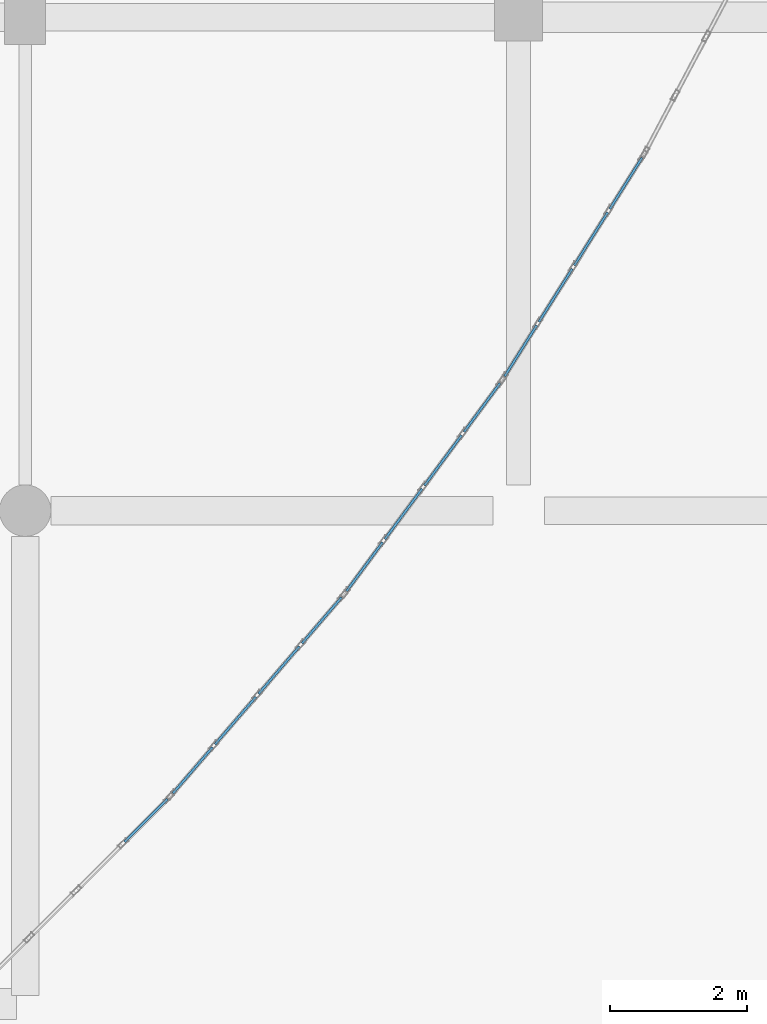
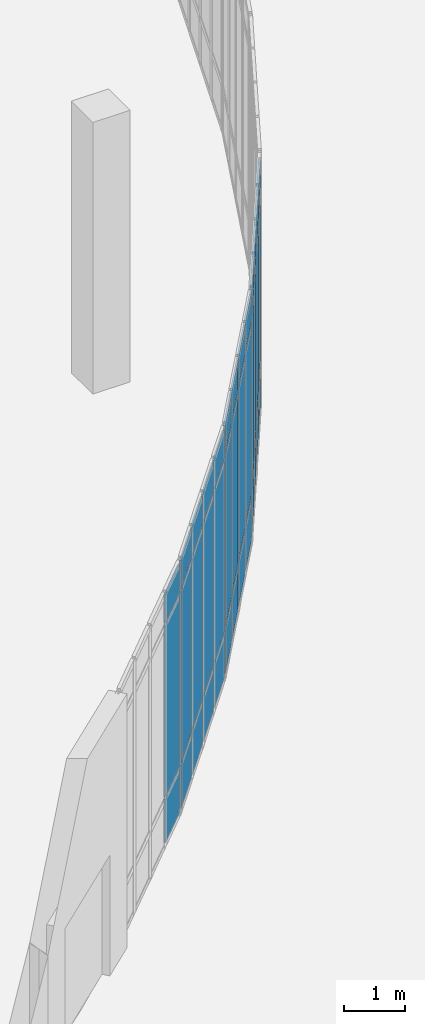
# One storey, part 81 of 110: 39 plates, 4 elements without a shape of their own.
"""IFC4 building model written with IfcOpenShell, lengths in metres."""

from ifc_helpers import new_model, si_unit, direction, frame, origin, origin_2d, place, context, subcontext, project, spatial, rectangle, extrude, material, layer, layer_set, type_object, element, aggregate, save


model = new_model("IFC4")

# Units and contexts
model_context = context("Model", 3, precision=1e-05, world=origin(), true_north=direction((0.0, 1.0)))
body_context = subcontext(model_context, "Body", "Model", "MODEL_VIEW")
ifc_project = project(units=[si_unit("LENGTHUNIT", "METRE"), si_unit("AREAUNIT", "SQUARE_METRE"), si_unit("VOLUMEUNIT", "CUBIC_METRE"), si_unit("PLANEANGLEUNIT", "RADIAN"), si_unit("MASSUNIT", "GRAM", prefix="KILO")], contexts=[model_context])

# Site, building, storey
site_placement = place(None, origin())
site = spatial("IfcSite", under=ifc_project, at=site_placement, CompositionType="ELEMENT")
building_placement = place(site_placement, origin())
building = spatial("IfcBuilding", under=site, at=building_placement, Name="Kalluvel Institute of Natural Sciences", CompositionType="ELEMENT")
storey_placement = place(building_placement, origin())
storey = spatial("IfcBuildingStorey", under=building, at=storey_placement, Name="L00", CompositionType="ELEMENT", Elevation=0.0)

# Curtain wall, plates
ifc_material_1 = material(Name="Aluminium AW-6063 T6", Category="aluminium")
curtain_wall_type = type_object("IfcCurtainWallType", Name="CW-ATR-L00", PredefinedType="USERDEFINED", material=ifc_material_1)
curtain_wall_1_placement = place(storey_placement, origin())
curtain_wall_1 = element("IfcCurtainWall", 1, at=curtain_wall_1_placement, inside=storey, type_object=curtain_wall_type, Name="L00 Gothic lancet curtain wall CWA-L00-X710-Y647", ObjectType="UNITISED LANCET FACADE", PredefinedType="USERDEFINED")
ifc_material_2 = material(Name="Solar-Control Low-E Laminated Glass", Category="glass")
ifc_layer = layer(ifc_material_2, 0.035888671875)
ifc_layer_set = layer_set([ifc_layer], Name="Solar-Control Low-E Laminated Glass")
plate_type = type_object("IfcPlateType", Name="CWP-DGU-36", PredefinedType="CURTAIN_PANEL", material=ifc_layer_set)
plate_1_placement = place(storey_placement, frame((73.364501953125, 67.07666015625, 0.06005859375), z_axis=(0.0, 0.0, 1.0), x_axis=(0.707106781187, 0.707106781187, 0.0)))
plate_1 = element("IfcPlate", 2, at=plate_1_placement, type_object=plate_type, Name="CW-06 panel 4.1", PredefinedType="CURTAIN_PANEL", context=body_context, shape_type="SweptSolid", body=[
    extrude(rectangle(XDim=0.882080078125, YDim=0.035888671875, at=origin_2d()), origin(), (0.0, 0.0, 1.0), 0.860107421875),
])
plate_2_placement = place(storey_placement, frame((73.364501953125, 67.07666015625, 0.97998046875), z_axis=(0.0, 0.0, 1.0), x_axis=(0.707106781187, 0.707106781187, 0.0)))
plate_2 = element("IfcPlate", 3, at=plate_2_placement, type_object=plate_type, Name="CW-06 panel 4.2", PredefinedType="CURTAIN_PANEL", context=body_context, shape_type="SweptSolid", body=[
    extrude(rectangle(XDim=0.882080078125, YDim=0.035888671875, at=origin_2d()), origin(), (0.0, 0.0, 1.0), 3.389892578125),
])
plate_3_placement = place(storey_placement, frame((73.364501953125, 67.07666015625, 4.429931640625), z_axis=(0.0, 0.0, 1.0), x_axis=(0.707106781187, 0.707106781187, 0.0)))
plate_3 = element("IfcPlate", 4, at=plate_3_placement, type_object=plate_type, Name="CW-06 panel 4.3", PredefinedType="CURTAIN_PANEL", context=body_context, shape_type="SweptSolid", body=[
    extrude(rectangle(XDim=0.882080078125, YDim=0.035888671875, at=origin_2d()), origin(), (0.0, 0.0, 1.0), 0.56005859375),
])
aggregate(curtain_wall_1, [plate_1, plate_2, plate_3])

curtain_wall_2_placement = place(storey_placement, origin())
curtain_wall_2 = element("IfcCurtainWall", 5, at=curtain_wall_2_placement, inside=storey, type_object=curtain_wall_type, Name="L00 Gothic lancet curtain wall CWA-L00-X737-Y674", ObjectType="UNITISED LANCET FACADE", PredefinedType="USERDEFINED")
plate_4_placement = place(storey_placement, frame((74.045654296875, 67.810791015625, 0.06005859375), z_axis=(0.0, 0.0, 1.0), x_axis=(0.652283148583, 0.757975391471, 0.0)))
plate_4 = element("IfcPlate", 6, at=plate_4_placement, type_object=plate_type, Name="CW-06 panel 1.1", PredefinedType="CURTAIN_PANEL", context=body_context, shape_type="SweptSolid", body=[
    extrude(rectangle(XDim=0.882080078125, YDim=0.035888671875, at=origin_2d()), origin(), (0.0, 0.0, 1.0), 0.860107421875),
])
plate_5_placement = place(storey_placement, frame((74.045654296875, 67.810791015625, 0.97998046875), z_axis=(0.0, 0.0, 1.0), x_axis=(0.652283148583, 0.757975391471, 0.0)))
plate_5 = element("IfcPlate", 7, at=plate_5_placement, type_object=plate_type, Name="CW-06 panel 1.2", PredefinedType="CURTAIN_PANEL", context=body_context, shape_type="SweptSolid", body=[
    extrude(rectangle(XDim=0.882080078125, YDim=0.035888671875, at=origin_2d()), origin(), (0.0, 0.0, 1.0), 3.389892578125),
])
plate_6_placement = place(storey_placement, frame((74.045654296875, 67.810791015625, 4.429931640625), z_axis=(0.0, 0.0, 1.0), x_axis=(0.652283148583, 0.757975391471, 0.0)))
plate_6 = element("IfcPlate", 8, at=plate_6_placement, type_object=plate_type, Name="CW-06 panel 1.3", PredefinedType="CURTAIN_PANEL", context=body_context, shape_type="SweptSolid", body=[
    extrude(rectangle(XDim=0.882080078125, YDim=0.035888671875, at=origin_2d()), origin(), (0.0, 0.0, 1.0), 0.56005859375),
])
plate_7_placement = place(storey_placement, frame((74.669921875, 68.536376953125, 0.06005859375), z_axis=(0.0, 0.0, 1.0), x_axis=(0.652283148583, 0.757975391471, 0.0)))
plate_7 = element("IfcPlate", 9, at=plate_7_placement, type_object=plate_type, Name="CW-06 panel 2.1", PredefinedType="CURTAIN_PANEL", context=body_context, shape_type="SweptSolid", body=[
    extrude(rectangle(XDim=0.912109375, YDim=0.035888671875, at=origin_2d()), origin(), (0.0, 0.0, 1.0), 0.860107421875),
])
plate_8_placement = place(storey_placement, frame((74.669921875, 68.536376953125, 0.97998046875), z_axis=(0.0, 0.0, 1.0), x_axis=(0.652283148583, 0.757975391471, 0.0)))
plate_8 = element("IfcPlate", 10, at=plate_8_placement, type_object=plate_type, Name="CW-06 panel 2.2", PredefinedType="CURTAIN_PANEL", context=body_context, shape_type="SweptSolid", body=[
    extrude(rectangle(XDim=0.912109375, YDim=0.035888671875, at=origin_2d()), origin(), (0.0, 0.0, 1.0), 3.389892578125),
])
plate_9_placement = place(storey_placement, frame((74.669921875, 68.536376953125, 4.429931640625), z_axis=(0.0, 0.0, 1.0), x_axis=(0.652283148583, 0.757975391471, 0.0)))
plate_9 = element("IfcPlate", 11, at=plate_9_placement, type_object=plate_type, Name="CW-06 panel 2.3", PredefinedType="CURTAIN_PANEL", context=body_context, shape_type="SweptSolid", body=[
    extrude(rectangle(XDim=0.912109375, YDim=0.035888671875, at=origin_2d()), origin(), (0.0, 0.0, 1.0), 0.56005859375),
])
plate_10_placement = place(storey_placement, frame((75.303955078125, 69.273193359375, 0.06005859375), z_axis=(0.0, 0.0, 1.0), x_axis=(0.652283148583, 0.757975391471, 0.0)))
plate_10 = element("IfcPlate", 12, at=plate_10_placement, type_object=plate_type, Name="CW-06 panel 3.1", PredefinedType="CURTAIN_PANEL", context=body_context, shape_type="SweptSolid", body=[
    extrude(rectangle(XDim=0.912109375, YDim=0.035888671875, at=origin_2d()), origin(), (0.0, 0.0, 1.0), 0.860107421875),
])
plate_11_placement = place(storey_placement, frame((75.303955078125, 69.273193359375, 0.97998046875), z_axis=(0.0, 0.0, 1.0), x_axis=(0.652283148583, 0.757975391471, 0.0)))
plate_11 = element("IfcPlate", 13, at=plate_11_placement, type_object=plate_type, Name="CW-06 panel 3.2", PredefinedType="CURTAIN_PANEL", context=body_context, shape_type="SweptSolid", body=[
    extrude(rectangle(XDim=0.912109375, YDim=0.035888671875, at=origin_2d()), origin(), (0.0, 0.0, 1.0), 3.389892578125),
])
plate_12_placement = place(storey_placement, frame((75.303955078125, 69.273193359375, 4.429931640625), z_axis=(0.0, 0.0, 1.0), x_axis=(0.652283148583, 0.757975391471, 0.0)))
plate_12 = element("IfcPlate", 14, at=plate_12_placement, type_object=plate_type, Name="CW-06 panel 3.3", PredefinedType="CURTAIN_PANEL", context=body_context, shape_type="SweptSolid", body=[
    extrude(rectangle(XDim=0.912109375, YDim=0.035888671875, at=origin_2d()), origin(), (0.0, 0.0, 1.0), 0.56005859375),
])
plate_13_placement = place(storey_placement, frame((75.928466796875, 69.998779296875, 0.06005859375), z_axis=(0.0, 0.0, 1.0), x_axis=(0.652283148583, 0.757975391471, 0.0)))
plate_13 = element("IfcPlate", 15, at=plate_13_placement, type_object=plate_type, Name="CW-06 panel 4.1", PredefinedType="CURTAIN_PANEL", context=body_context, shape_type="SweptSolid", body=[
    extrude(rectangle(XDim=0.882080078125, YDim=0.035888671875, at=origin_2d()), origin(), (0.0, 0.0, 1.0), 0.860107421875),
])
plate_14_placement = place(storey_placement, frame((75.928466796875, 69.998779296875, 0.97998046875), z_axis=(0.0, 0.0, 1.0), x_axis=(0.652283148583, 0.757975391471, 0.0)))
plate_14 = element("IfcPlate", 16, at=plate_14_placement, type_object=plate_type, Name="CW-06 panel 4.2", PredefinedType="CURTAIN_PANEL", context=body_context, shape_type="SweptSolid", body=[
    extrude(rectangle(XDim=0.882080078125, YDim=0.035888671875, at=origin_2d()), origin(), (0.0, 0.0, 1.0), 3.389892578125),
])
plate_15_placement = place(storey_placement, frame((75.928466796875, 69.998779296875, 4.429931640625), z_axis=(0.0, 0.0, 1.0), x_axis=(0.652283148583, 0.757975391471, 0.0)))
plate_15 = element("IfcPlate", 17, at=plate_15_placement, type_object=plate_type, Name="CW-06 panel 4.3", PredefinedType="CURTAIN_PANEL", context=body_context, shape_type="SweptSolid", body=[
    extrude(rectangle(XDim=0.882080078125, YDim=0.035888671875, at=origin_2d()), origin(), (0.0, 0.0, 1.0), 0.56005859375),
])
aggregate(curtain_wall_2, [plate_4, plate_5, plate_6, plate_7, plate_8, plate_9, plate_10, plate_11, plate_12, plate_13, plate_14, plate_15])

curtain_wall_3_placement = place(storey_placement, origin())
curtain_wall_3 = element("IfcCurtainWall", 18, at=curtain_wall_3_placement, inside=storey, type_object=curtain_wall_type, Name="L00 Gothic lancet curtain wall CWA-L00-X763-Y704", ObjectType="UNITISED LANCET FACADE", PredefinedType="USERDEFINED")
plate_16_placement = place(storey_placement, frame((76.552734375, 70.78173828125, 0.06005859375), z_axis=(0.0, 0.0, 1.0), x_axis=(0.593814643515, 0.804601869963, 0.0)))
plate_16 = element("IfcPlate", 19, at=plate_16_placement, type_object=plate_type, Name="CW-06 panel 1.1", PredefinedType="CURTAIN_PANEL", context=body_context, shape_type="SweptSolid", body=[
    extrude(rectangle(XDim=0.882080078125, YDim=0.035888671875, at=origin_2d()), origin(), (0.0, 0.0, 1.0), 0.860107421875),
])
plate_17_placement = place(storey_placement, frame((76.552734375, 70.78173828125, 0.97998046875), z_axis=(0.0, 0.0, 1.0), x_axis=(0.593814643515, 0.804601869963, 0.0)))
plate_17 = element("IfcPlate", 20, at=plate_17_placement, type_object=plate_type, Name="CW-06 panel 1.2", PredefinedType="CURTAIN_PANEL", context=body_context, shape_type="SweptSolid", body=[
    extrude(rectangle(XDim=0.882080078125, YDim=0.035888671875, at=origin_2d()), origin(), (0.0, 0.0, 1.0), 3.389892578125),
])
plate_18_placement = place(storey_placement, frame((76.552734375, 70.78173828125, 4.429931640625), z_axis=(0.0, 0.0, 1.0), x_axis=(0.593814643515, 0.804601869963, 0.0)))
plate_18 = element("IfcPlate", 21, at=plate_18_placement, type_object=plate_type, Name="CW-06 panel 1.3", PredefinedType="CURTAIN_PANEL", context=body_context, shape_type="SweptSolid", body=[
    extrude(rectangle(XDim=0.882080078125, YDim=0.035888671875, at=origin_2d()), origin(), (0.0, 0.0, 1.0), 0.56005859375),
])
plate_19_placement = place(storey_placement, frame((77.12109375, 71.5517578125, 0.06005859375), z_axis=(0.0, 0.0, 1.0), x_axis=(0.593814643515, 0.804601869963, 0.0)))
plate_19 = element("IfcPlate", 22, at=plate_19_placement, type_object=plate_type, Name="CW-06 panel 2.1", PredefinedType="CURTAIN_PANEL", context=body_context, shape_type="SweptSolid", body=[
    extrude(rectangle(XDim=0.912109375, YDim=0.035888671875, at=origin_2d()), origin(), (0.0, 0.0, 1.0), 0.860107421875),
])
plate_20_placement = place(storey_placement, frame((77.12109375, 71.5517578125, 0.97998046875), z_axis=(0.0, 0.0, 1.0), x_axis=(0.593814643515, 0.804601869963, 0.0)))
plate_20 = element("IfcPlate", 23, at=plate_20_placement, type_object=plate_type, Name="CW-06 panel 2.2", PredefinedType="CURTAIN_PANEL", context=body_context, shape_type="SweptSolid", body=[
    extrude(rectangle(XDim=0.912109375, YDim=0.035888671875, at=origin_2d()), origin(), (0.0, 0.0, 1.0), 3.389892578125),
])
plate_21_placement = place(storey_placement, frame((77.12109375, 71.5517578125, 4.429931640625), z_axis=(0.0, 0.0, 1.0), x_axis=(0.593814643515, 0.804601869963, 0.0)))
plate_21 = element("IfcPlate", 24, at=plate_21_placement, type_object=plate_type, Name="CW-06 panel 2.3", PredefinedType="CURTAIN_PANEL", context=body_context, shape_type="SweptSolid", body=[
    extrude(rectangle(XDim=0.912109375, YDim=0.035888671875, at=origin_2d()), origin(), (0.0, 0.0, 1.0), 0.56005859375),
])
plate_22_placement = place(storey_placement, frame((77.698486328125, 72.333984375, 0.06005859375), z_axis=(0.0, 0.0, 1.0), x_axis=(0.593814643515, 0.804601869963, 0.0)))
plate_22 = element("IfcPlate", 25, at=plate_22_placement, type_object=plate_type, Name="CW-06 panel 3.1", PredefinedType="CURTAIN_PANEL", context=body_context, shape_type="SweptSolid", body=[
    extrude(rectangle(XDim=0.912109375, YDim=0.035888671875, at=origin_2d()), origin(), (0.0, 0.0, 1.0), 0.860107421875),
])
plate_23_placement = place(storey_placement, frame((77.698486328125, 72.333984375, 0.97998046875), z_axis=(0.0, 0.0, 1.0), x_axis=(0.593814643515, 0.804601869963, 0.0)))
plate_23 = element("IfcPlate", 26, at=plate_23_placement, type_object=plate_type, Name="CW-06 panel 3.2", PredefinedType="CURTAIN_PANEL", context=body_context, shape_type="SweptSolid", body=[
    extrude(rectangle(XDim=0.912109375, YDim=0.035888671875, at=origin_2d()), origin(), (0.0, 0.0, 1.0), 3.389892578125),
])
plate_24_placement = place(storey_placement, frame((77.698486328125, 72.333984375, 4.429931640625), z_axis=(0.0, 0.0, 1.0), x_axis=(0.593814643515, 0.804601869963, 0.0)))
plate_24 = element("IfcPlate", 27, at=plate_24_placement, type_object=plate_type, Name="CW-06 panel 3.3", PredefinedType="CURTAIN_PANEL", context=body_context, shape_type="SweptSolid", body=[
    extrude(rectangle(XDim=0.912109375, YDim=0.035888671875, at=origin_2d()), origin(), (0.0, 0.0, 1.0), 0.56005859375),
])
plate_25_placement = place(storey_placement, frame((78.266845703125, 73.104248046875, 0.06005859375), z_axis=(0.0, 0.0, 1.0), x_axis=(0.593814643515, 0.804601869963, 0.0)))
plate_25 = element("IfcPlate", 28, at=plate_25_placement, type_object=plate_type, Name="CW-06 panel 4.1", PredefinedType="CURTAIN_PANEL", context=body_context, shape_type="SweptSolid", body=[
    extrude(rectangle(XDim=0.882080078125, YDim=0.035888671875, at=origin_2d()), origin(), (0.0, 0.0, 1.0), 0.860107421875),
])
plate_26_placement = place(storey_placement, frame((78.266845703125, 73.104248046875, 0.97998046875), z_axis=(0.0, 0.0, 1.0), x_axis=(0.593814643515, 0.804601869963, 0.0)))
plate_26 = element("IfcPlate", 29, at=plate_26_placement, type_object=plate_type, Name="CW-06 panel 4.2", PredefinedType="CURTAIN_PANEL", context=body_context, shape_type="SweptSolid", body=[
    extrude(rectangle(XDim=0.882080078125, YDim=0.035888671875, at=origin_2d()), origin(), (0.0, 0.0, 1.0), 3.389892578125),
])
plate_27_placement = place(storey_placement, frame((78.266845703125, 73.104248046875, 4.429931640625), z_axis=(0.0, 0.0, 1.0), x_axis=(0.593814643515, 0.804601869963, 0.0)))
plate_27 = element("IfcPlate", 30, at=plate_27_placement, type_object=plate_type, Name="CW-06 panel 4.3", PredefinedType="CURTAIN_PANEL", context=body_context, shape_type="SweptSolid", body=[
    extrude(rectangle(XDim=0.882080078125, YDim=0.035888671875, at=origin_2d()), origin(), (0.0, 0.0, 1.0), 0.56005859375),
])
aggregate(curtain_wall_3, [plate_16, plate_17, plate_18, plate_19, plate_20, plate_21, plate_22, plate_23, plate_24, plate_25, plate_26, plate_27])

curtain_wall_4_placement = place(storey_placement, origin())
curtain_wall_4 = element("IfcCurtainWall", 31, at=curtain_wall_4_placement, inside=storey, type_object=curtain_wall_type, Name="L00 Gothic lancet curtain wall CWA-L00-X786-Y735", ObjectType="UNITISED LANCET FACADE", PredefinedType="USERDEFINED")
plate_28_placement = place(storey_placement, frame((78.8310546875, 73.931640625, 0.06005859375), z_axis=(0.0, 0.0, 1.0), x_axis=(0.532036187638, 0.846721616025, 0.0)))
plate_28 = element("IfcPlate", 32, at=plate_28_placement, type_object=plate_type, Name="CW-06 panel 1.1", PredefinedType="CURTAIN_PANEL", context=body_context, shape_type="SweptSolid", body=[
    extrude(rectangle(XDim=0.882080078125, YDim=0.035888671875, at=origin_2d()), origin(), (0.0, 0.0, 1.0), 0.860107421875),
])
plate_29_placement = place(storey_placement, frame((78.8310546875, 73.931640625, 0.97998046875), z_axis=(0.0, 0.0, 1.0), x_axis=(0.532036187638, 0.846721616025, 0.0)))
plate_29 = element("IfcPlate", 33, at=plate_29_placement, type_object=plate_type, Name="CW-06 panel 1.2", PredefinedType="CURTAIN_PANEL", context=body_context, shape_type="SweptSolid", body=[
    extrude(rectangle(XDim=0.882080078125, YDim=0.035888671875, at=origin_2d()), origin(), (0.0, 0.0, 1.0), 3.389892578125),
])
plate_30_placement = place(storey_placement, frame((78.8310546875, 73.931640625, 4.429931640625), z_axis=(0.0, 0.0, 1.0), x_axis=(0.532036187638, 0.846721616025, 0.0)))
plate_30 = element("IfcPlate", 34, at=plate_30_placement, type_object=plate_type, Name="CW-06 panel 1.3", PredefinedType="CURTAIN_PANEL", context=body_context, shape_type="SweptSolid", body=[
    extrude(rectangle(XDim=0.882080078125, YDim=0.035888671875, at=origin_2d()), origin(), (0.0, 0.0, 1.0), 0.56005859375),
])
plate_31_placement = place(storey_placement, frame((79.34033203125, 74.7421875, 0.06005859375), z_axis=(0.0, 0.0, 1.0), x_axis=(0.532036187638, 0.846721616025, 0.0)))
plate_31 = element("IfcPlate", 35, at=plate_31_placement, type_object=plate_type, Name="CW-06 panel 2.1", PredefinedType="CURTAIN_PANEL", context=body_context, shape_type="SweptSolid", body=[
    extrude(rectangle(XDim=0.912109375, YDim=0.035888671875, at=origin_2d()), origin(), (0.0, 0.0, 1.0), 0.860107421875),
])
plate_32_placement = place(storey_placement, frame((79.34033203125, 74.7421875, 0.97998046875), z_axis=(0.0, 0.0, 1.0), x_axis=(0.532036187638, 0.846721616025, 0.0)))
plate_32 = element("IfcPlate", 36, at=plate_32_placement, type_object=plate_type, Name="CW-06 panel 2.2", PredefinedType="CURTAIN_PANEL", context=body_context, shape_type="SweptSolid", body=[
    extrude(rectangle(XDim=0.912109375, YDim=0.035888671875, at=origin_2d()), origin(), (0.0, 0.0, 1.0), 3.389892578125),
])
plate_33_placement = place(storey_placement, frame((79.34033203125, 74.7421875, 4.429931640625), z_axis=(0.0, 0.0, 1.0), x_axis=(0.532036187638, 0.846721616025, 0.0)))
plate_33 = element("IfcPlate", 37, at=plate_33_placement, type_object=plate_type, Name="CW-06 panel 2.3", PredefinedType="CURTAIN_PANEL", context=body_context, shape_type="SweptSolid", body=[
    extrude(rectangle(XDim=0.912109375, YDim=0.035888671875, at=origin_2d()), origin(), (0.0, 0.0, 1.0), 0.56005859375),
])
plate_34_placement = place(storey_placement, frame((79.857421875, 75.565185546875, 0.06005859375), z_axis=(0.0, 0.0, 1.0), x_axis=(0.532036187638, 0.846721616025, 0.0)))
plate_34 = element("IfcPlate", 38, at=plate_34_placement, type_object=plate_type, Name="CW-06 panel 3.1", PredefinedType="CURTAIN_PANEL", context=body_context, shape_type="SweptSolid", body=[
    extrude(rectangle(XDim=0.912109375, YDim=0.035888671875, at=origin_2d()), origin(), (0.0, 0.0, 1.0), 0.860107421875),
])
plate_35_placement = place(storey_placement, frame((79.857421875, 75.565185546875, 0.97998046875), z_axis=(0.0, 0.0, 1.0), x_axis=(0.532036187638, 0.846721616025, 0.0)))
plate_35 = element("IfcPlate", 39, at=plate_35_placement, type_object=plate_type, Name="CW-06 panel 3.2", PredefinedType="CURTAIN_PANEL", context=body_context, shape_type="SweptSolid", body=[
    extrude(rectangle(XDim=0.912109375, YDim=0.035888671875, at=origin_2d()), origin(), (0.0, 0.0, 1.0), 3.389892578125),
])
plate_36_placement = place(storey_placement, frame((79.857421875, 75.565185546875, 4.429931640625), z_axis=(0.0, 0.0, 1.0), x_axis=(0.532036187638, 0.846721616025, 0.0)))
plate_36 = element("IfcPlate", 40, at=plate_36_placement, type_object=plate_type, Name="CW-06 panel 3.3", PredefinedType="CURTAIN_PANEL", context=body_context, shape_type="SweptSolid", body=[
    extrude(rectangle(XDim=0.912109375, YDim=0.035888671875, at=origin_2d()), origin(), (0.0, 0.0, 1.0), 0.56005859375),
])
plate_37_placement = place(storey_placement, frame((80.36669921875, 76.375732421875, 0.06005859375), z_axis=(0.0, 0.0, 1.0), x_axis=(0.532036187638, 0.846721616025, 0.0)))
plate_37 = element("IfcPlate", 41, at=plate_37_placement, type_object=plate_type, Name="CW-06 panel 4.1", PredefinedType="CURTAIN_PANEL", context=body_context, shape_type="SweptSolid", body=[
    extrude(rectangle(XDim=0.882080078125, YDim=0.035888671875, at=origin_2d()), origin(), (0.0, 0.0, 1.0), 0.860107421875),
])
plate_38_placement = place(storey_placement, frame((80.36669921875, 76.375732421875, 0.97998046875), z_axis=(0.0, 0.0, 1.0), x_axis=(0.532036187638, 0.846721616025, 0.0)))
plate_38 = element("IfcPlate", 42, at=plate_38_placement, type_object=plate_type, Name="CW-06 panel 4.2", PredefinedType="CURTAIN_PANEL", context=body_context, shape_type="SweptSolid", body=[
    extrude(rectangle(XDim=0.882080078125, YDim=0.035888671875, at=origin_2d()), origin(), (0.0, 0.0, 1.0), 3.389892578125),
])
plate_39_placement = place(storey_placement, frame((80.36669921875, 76.375732421875, 4.429931640625), z_axis=(0.0, 0.0, 1.0), x_axis=(0.532036187638, 0.846721616025, 0.0)))
plate_39 = element("IfcPlate", 43, at=plate_39_placement, type_object=plate_type, Name="CW-06 panel 4.3", PredefinedType="CURTAIN_PANEL", context=body_context, shape_type="SweptSolid", body=[
    extrude(rectangle(XDim=0.882080078125, YDim=0.035888671875, at=origin_2d()), origin(), (0.0, 0.0, 1.0), 0.56005859375),
])
aggregate(curtain_wall_4, [plate_28, plate_29, plate_30, plate_31, plate_32, plate_33, plate_34, plate_35, plate_36, plate_37, plate_38, plate_39])

save(model, "model.ifc")
